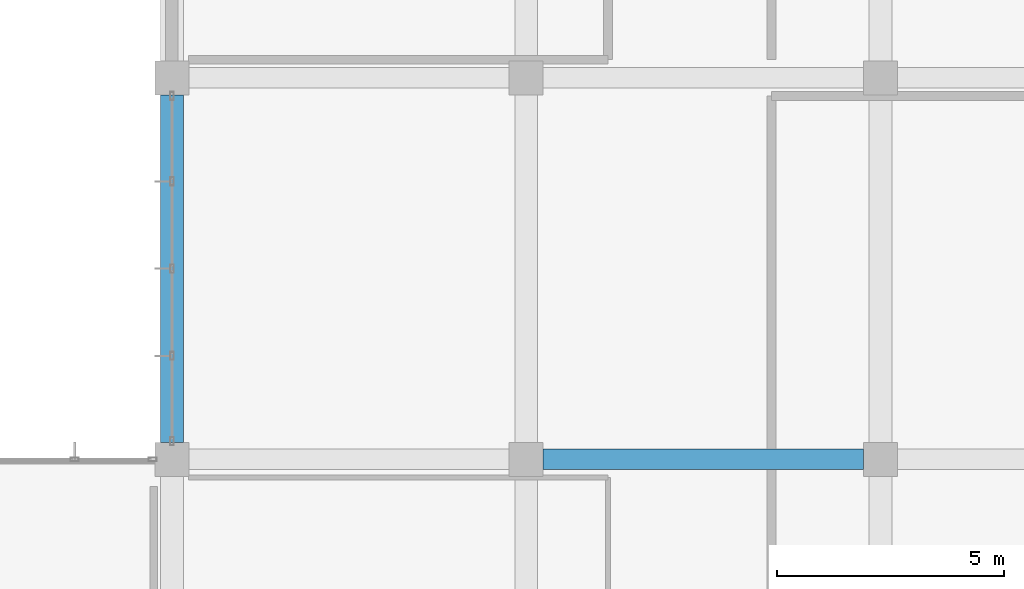
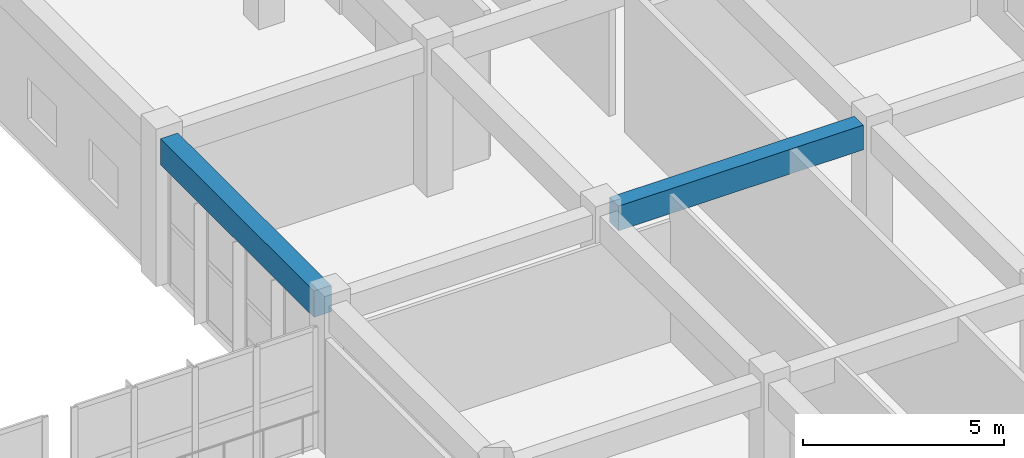
# One storey, part 63 of 175: 2 beams.
"""IFC4 building model written with IfcOpenShell, lengths in metres."""

from ifc_helpers import new_model, si_unit, direction, frame, origin, origin_2d, place, context, subcontext, project, spatial, rectangle, extrude, material, material_profile, profile_set, type_object, element, save


model = new_model("IFC4")

# Units and contexts
model_context = context("Model", 3, precision=1e-05, world=origin(), true_north=direction((0.0, 1.0)))
body_context = subcontext(model_context, "Body", "Model", "MODEL_VIEW")
ifc_project = project(units=[si_unit("LENGTHUNIT", "METRE"), si_unit("AREAUNIT", "SQUARE_METRE"), si_unit("VOLUMEUNIT", "CUBIC_METRE"), si_unit("PLANEANGLEUNIT", "RADIAN"), si_unit("MASSUNIT", "GRAM", prefix="KILO")], contexts=[model_context])

# Site, building, storey
site_placement = place(None, origin())
site = spatial("IfcSite", under=ifc_project, at=site_placement, CompositionType="ELEMENT")
building_placement = place(site_placement, origin())
building = spatial("IfcBuilding", under=site, at=building_placement, Name="Zizhar Promenade General Hospital", CompositionType="ELEMENT")
storey_placement = place(building_placement, frame((0.0, 0.0, 4.800048828125)))
storey = spatial("IfcBuildingStorey", under=building, at=storey_placement, Name="L01", CompositionType="ELEMENT", Elevation=4.800048828125)

# Beams
ifc_material_1 = material(Name="Concrete C35/45", Category="concrete")
ifc_material_profile_1 = material_profile(ifc_material_1, rectangle(XDim=0.449951171875, YDim=0.75, at=origin_2d()))
ifc_profile_set_1 = profile_set([ifc_material_profile_1], Name="Concrete C35/45")
beam_type_1 = type_object("IfcBeamType", Name="BM-RC-450x750", PredefinedType="BEAM", material=ifc_profile_set_1)
beam_1_placement = place(storey_placement, frame((54.97509765625, 84.0, 4.094970703125), z_axis=(1.0, 0.0, 0.0), x_axis=(0.0, 1.0, 0.0)))
element("IfcBeam", 1, at=beam_1_placement, inside=storey, type_object=beam_type_1, Name="Grid Beam X L01 (7-10)", PredefinedType="BEAM", context=body_context, shape_type="SweptSolid", body=[
    extrude(rectangle(XDim=0.449951171875, YDim=0.75, at=origin_2d()), origin(), (0.0, 0.0, 1.0), 7.0498046875),
])
ifc_material_2 = material(Name="Concrete C35/45", Category="concrete")
ifc_material_profile_2 = material_profile(ifc_material_2, rectangle(XDim=0.5, YDim=0.800048828125, at=origin_2d()))
ifc_profile_set_2 = profile_set([ifc_material_profile_2], Name="Concrete C35/45")
beam_type_2 = type_object("IfcBeamType", Name="BM-RC-500x800", PredefinedType="BEAM", material=ifc_profile_set_2)
beam_2_placement = place(storey_placement, frame((46.800048828125, 84.375, 4.070068359375), z_axis=(0.0, 1.0, 0.0), x_axis=(-1.0, 0.0, 0.0)))
element("IfcBeam", 2, at=beam_2_placement, inside=storey, type_object=beam_type_2, Name="Grid Beam Y L01 (6-10)", PredefinedType="BEAM", context=body_context, shape_type="SweptSolid", body=[
    extrude(rectangle(XDim=0.5, YDim=0.800048828125, at=origin_2d()), origin(), (0.0, 0.0, 1.0), 7.64990234375),
])

save(model, "model.ifc")
